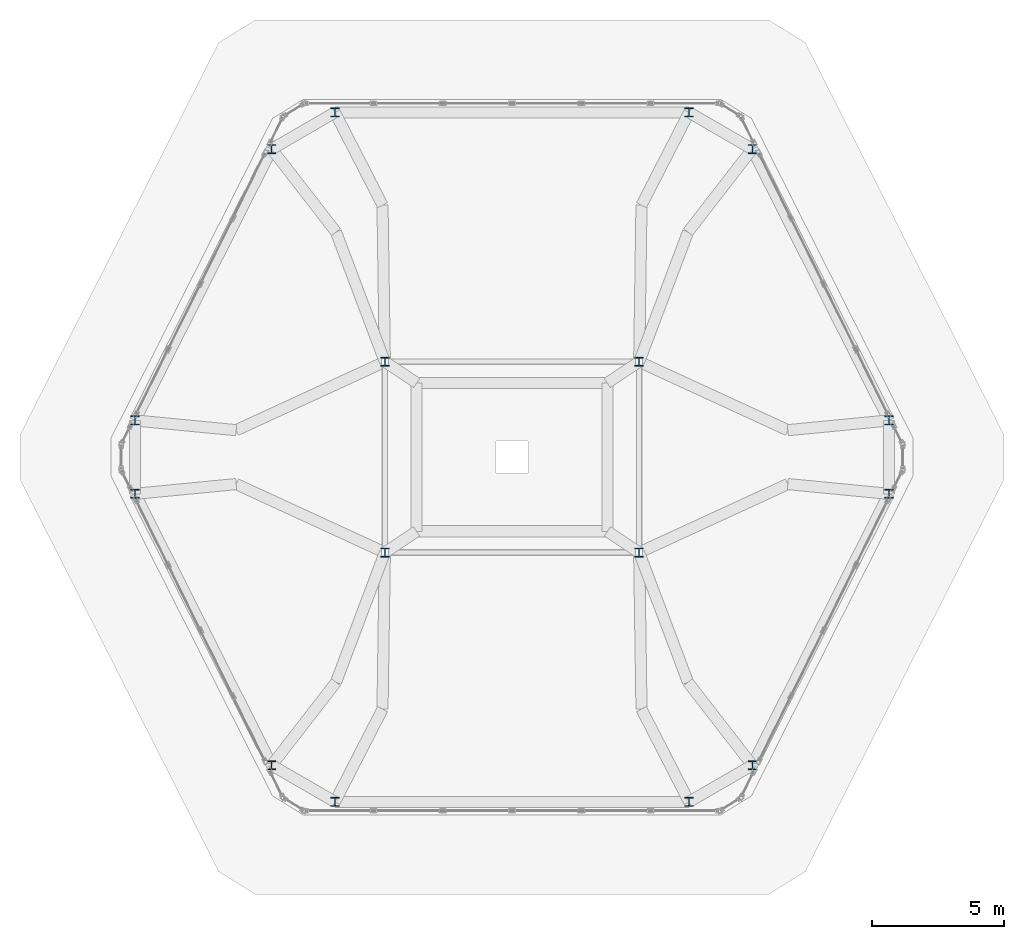
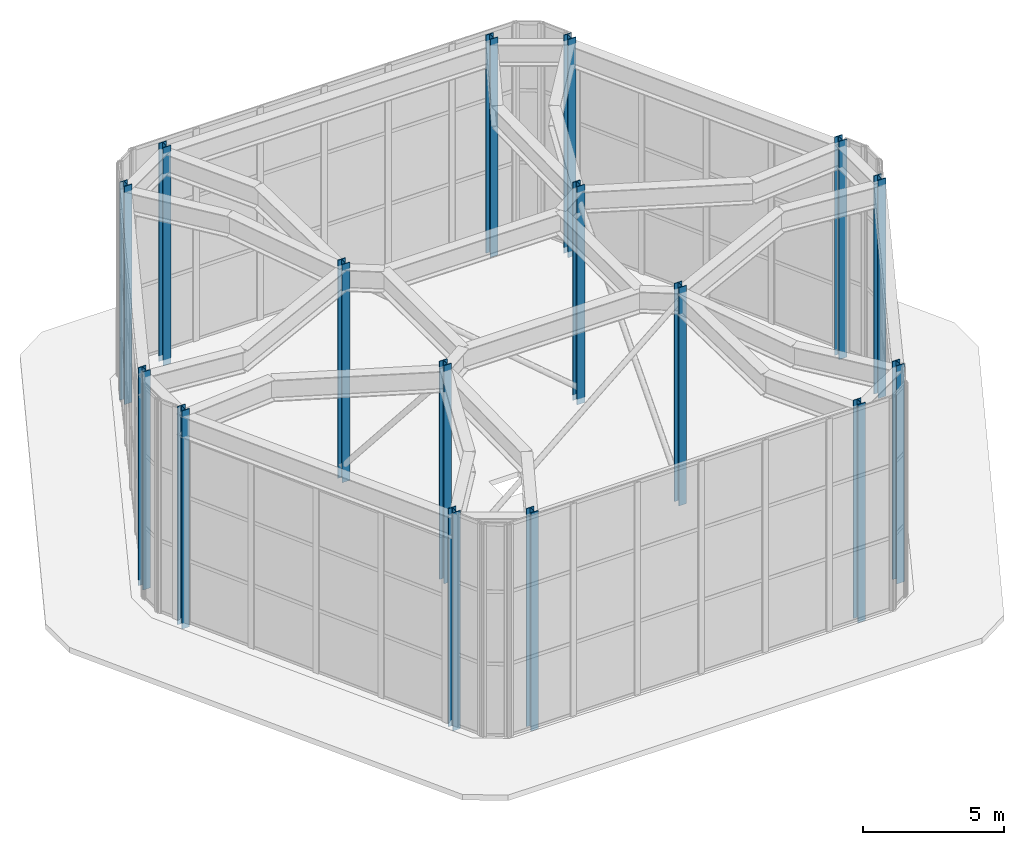
# One storey, part 1 of 10: 16 columns.
"""IFC4 building model written with IfcOpenShell, lengths in metres."""

from ifc_helpers import new_model, si_unit, direction, frame, origin, origin_2d, place, context, subcontext, project, spatial, i_section, extrude, material, material_profile, profile_set, type_object, element, save


model = new_model("IFC4")

# Units and contexts
model_context = context("Model", 3, precision=1e-05, world=origin(), true_north=direction((0.0, 1.0)))
body_context = subcontext(model_context, "Body", "Model", "MODEL_VIEW")
ifc_project = project(units=[si_unit("LENGTHUNIT", "METRE"), si_unit("AREAUNIT", "SQUARE_METRE"), si_unit("VOLUMEUNIT", "CUBIC_METRE"), si_unit("PLANEANGLEUNIT", "RADIAN"), si_unit("MASSUNIT", "GRAM", prefix="KILO")], contexts=[model_context])

# Site, building, storey
site_placement = place(None, origin())
site = spatial("IfcSite", under=ifc_project, at=site_placement, CompositionType="ELEMENT")
building_placement = place(site_placement, origin())
building = spatial("IfcBuilding", under=site, at=building_placement, Name="Cinnabar Lancet Tower", CompositionType="ELEMENT")
storey_placement = place(building_placement, frame((0.0, 0.0, 314.675048828125)))
storey = spatial("IfcBuildingStorey", under=building, at=storey_placement, Name="L81", CompositionType="ELEMENT", Elevation=314.675048828125)

# Columns
ifc_material = material(Name="Structural steel S460", Category="steel")
ifc_material_profile = material_profile(ifc_material, i_section(OverallWidth=0.314453125, OverallDepth=0.33984375, WebThickness=0.01904296875, FlangeThickness=0.031494140625, FilletRadius=0.01513671875, at=origin_2d()), Name="UKC 305x305x198")
ifc_profile_set = profile_set([ifc_material_profile], Name="Structural steel S460")
column_type = type_object("IfcColumnType", Name="STR-COL-STL-198", PredefinedType="COLUMN", material=ifc_profile_set)
for number, where, z_axis, x_axis, name in (
    (1, (25.717041015625, 12.7890625, -0.25), (0.0, 0.0, 1.0), (1.0, 0.0, 0.0), "L81 Crown Lancet Steel Rib Column 1"),
    (2, (39.0830078125, 12.7890625, -0.25), (0.0, 0.0, 1.0), (1.0, 0.0, 0.0), "L81 Crown Lancet Steel Rib Column 2"),
    (3, (41.468994140625, 14.172119140625, -0.25), (0.0, 0.0, 1.0), (1.0, 0.0, 0.0), "L81 Crown Lancet Steel Rib Column 3"),
    (4, (46.6259765625, 24.4150390625, -0.25), (0.0, 0.0, 1.0), (1.0, 0.0, 0.0), "L81 Crown Lancet Steel Rib Column 4"),
    (5, (46.6259765625, 27.18505859375, -0.25), (0.0, 0.0, 1.0), (1.0, 0.0, 0.0), "L81 Crown Lancet Steel Rib Column 5"),
    (6, (41.468994140625, 37.427978515625, -0.25), (0.0, 0.0, 1.0), (1.0, 0.0, 0.0), "L81 Crown Lancet Steel Rib Column 6"),
    (7, (39.0830078125, 38.81103515625, -0.25), (0.0, 0.0, 1.0), (1.0, 0.0, 0.0), "L81 Crown Lancet Steel Rib Column 7"),
    (8, (25.717041015625, 38.81103515625, -0.25), (0.0, 0.0, 1.0), (1.0, 0.0, 0.0), "L81 Crown Lancet Steel Rib Column 8"),
    (9, (23.3310546875, 37.427978515625, -0.25), (0.0, 0.0, 1.0), (1.0, 0.0, 0.0), "L81 Crown Lancet Steel Rib Column 9"),
    (10, (18.174072265625, 27.18505859375, -0.25), (0.0, 0.0, 1.0), (1.0, 0.0, 0.0), "L81 Crown Lancet Steel Rib Column 10"),
    (11, (18.174072265625, 24.4150390625, -0.25), (0.0, 0.0, 1.0), (1.0, 0.0, 0.0), "L81 Crown Lancet Steel Rib Column 11"),
    (12, (23.3310546875, 14.172119140625, -0.25), (0.0, 0.0, 1.0), (1.0, 0.0, 0.0), "L81 Crown Lancet Steel Rib Column 12"),
    (13, (27.60009765625, 22.199951171875, -0.25), (0.0, 0.0, 1.0), (1.0, 0.0, 0.0), "L81 Crown Inner Ring Column SW"),
    (14, (37.199951171875, 22.199951171875, -0.25), (0.0, 0.0, 1.0), (1.0, 0.0, 0.0), "L81 Crown Inner Ring Column SE"),
    (15, (37.199951171875, 29.39990234375, -0.25), (0.0, 0.0, 1.0), (1.0, 0.0, 0.0), "L81 Crown Inner Ring Column NE"),
    (16, (27.60009765625, 29.39990234375, -0.25), (0.0, 0.0, 1.0), (1.0, 0.0, 0.0), "L81 Crown Inner Ring Column NW"),
):
    element("IfcColumn", number, at=place(storey_placement, frame(where, z_axis=z_axis, x_axis=x_axis)), inside=storey, type_object=column_type, Name=name, PredefinedType="COLUMN", context=body_context, shape_type="SweptSolid", body=[
        extrude(i_section(OverallWidth=0.314453125, OverallDepth=0.33984375, WebThickness=0.01904296875, FlangeThickness=0.031494140625, FilletRadius=0.01513671875, at=origin_2d()), origin(), (0.0, 0.0, 1.0), 9.425048828125),
    ])

save(model, "model.ifc")
